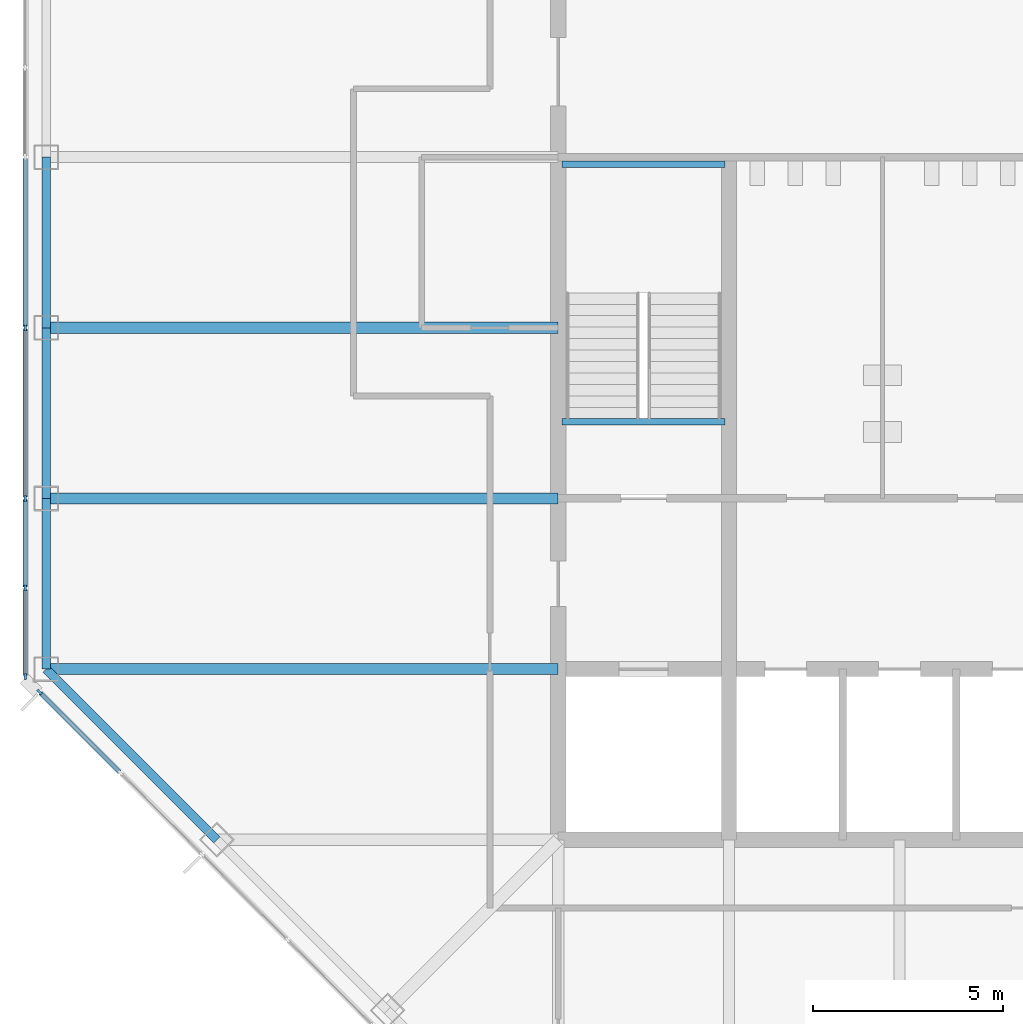
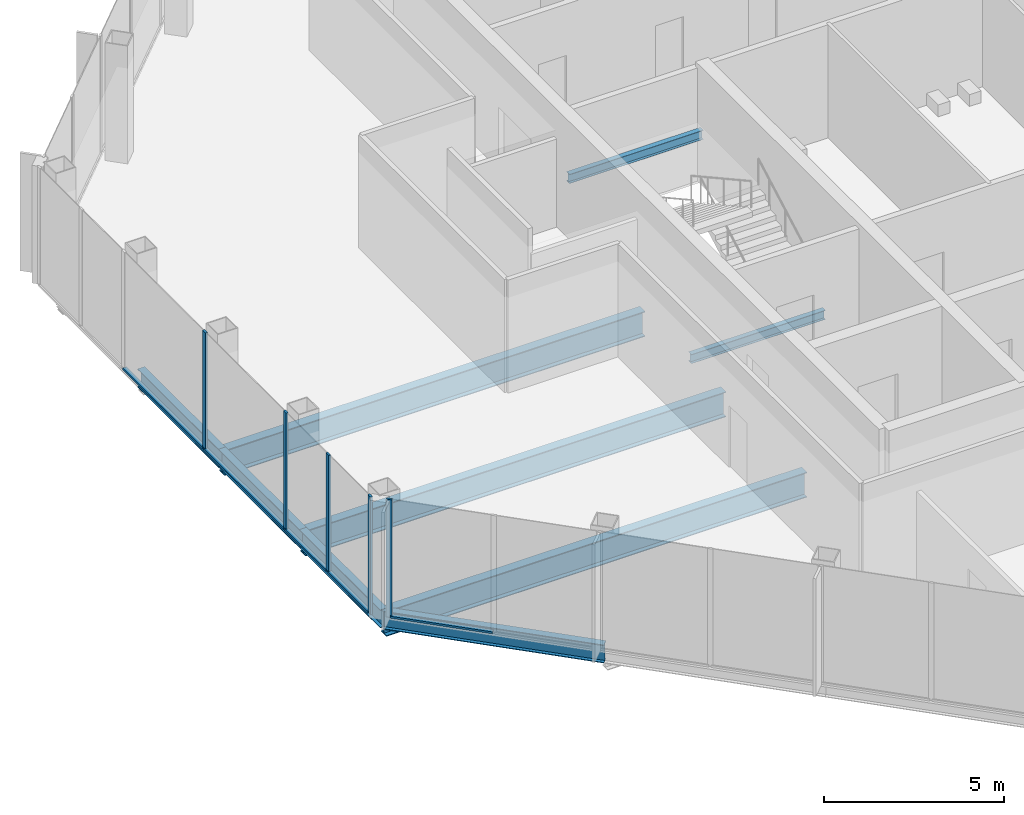
# One storey, part 3 of 14: 10 members, 9 beams, 2 elements without a shape of their own.
"""IFC4 building model written with IfcOpenShell, lengths in metres."""

from ifc_helpers import new_model, si_unit, direction, frame, origin, origin_2d, place, context, subcontext, project, spatial, rectangle, i_section, extrude, material, material_profile, profile_set, type_object, element, aggregate, save


model = new_model("IFC4")

# Units and contexts
model_context = context("Model", 3, precision=1e-05, world=origin(), true_north=direction((0.0, 1.0)))
body_context = subcontext(model_context, "Body", "Model", "MODEL_VIEW")
ifc_project = project(units=[si_unit("LENGTHUNIT", "METRE"), si_unit("AREAUNIT", "SQUARE_METRE"), si_unit("VOLUMEUNIT", "CUBIC_METRE"), si_unit("PLANEANGLEUNIT", "RADIAN"), si_unit("MASSUNIT", "GRAM", prefix="KILO")], contexts=[model_context])

# Site, building, storey
site_placement = place(None, origin())
site = spatial("IfcSite", under=ifc_project, at=site_placement, CompositionType="ELEMENT")
building_placement = place(site_placement, origin())
building = spatial("IfcBuilding", under=site, at=building_placement, Name="Corais Broadcast Tower", CompositionType="ELEMENT")
storey_placement = place(building_placement, frame((0.0, 0.0, 250.60009765625)))
storey = spatial("IfcBuildingStorey", under=building, at=storey_placement, Name="L58", CompositionType="ELEMENT", Elevation=250.60009765625)

# Beams
ifc_material_1 = material(Name="Steel ASTM A572 Grade 50", Category="steel")
ifc_material_profile_1 = material_profile(ifc_material_1, i_section(OverallWidth=0.2939453125, OverallDepth=0.85107421875, WebThickness=0.01611328125, FlangeThickness=0.02685546875, at=origin_2d()), Name="W840x226")
ifc_profile_set_1 = profile_set([ifc_material_profile_1], Name="Steel ASTM A572 Grade 50")
beam_type_1 = type_object("IfcBeamType", Name="Floor beam W840x226", PredefinedType="BEAM", material=ifc_profile_set_1)
for number, where, z_axis, x_axis, name in (
    (1, (0.0, 18.0, -0.585693359375), (1.0, 0.0, 0.0), (0.0, 1.0, 0.0), "B1 E/3 to E/6"),
    (2, (0.0, 22.5, -0.585693359375), (1.0, 0.0, 0.0), (0.0, 1.0, 0.0), "B1 F/3 to F/6"),
    (3, (0.0, 27.0, -0.585693359375), (1.0, 0.0, 0.0), (0.0, 1.0, 0.0), "B1 G/3 to G/6"),
):
    element("IfcBeam", number, at=place(storey_placement, frame(where, z_axis=z_axis, x_axis=x_axis)), inside=storey, type_object=beam_type_1, Name=name, PredefinedType="BEAM", context=body_context, shape_type="SweptSolid", body=[
        extrude(i_section(OverallWidth=0.2939453125, OverallDepth=0.85107421875, WebThickness=0.01611328125, FlangeThickness=0.02685546875, at=origin_2d()), origin(), (0.0, 0.0, 1.0), 13.5),
    ])
ifc_material_2 = material(Name="Steel ASTM A572 Grade 50", Category="steel")
ifc_material_profile_2 = material_profile(ifc_material_2, i_section(OverallWidth=0.1650390625, OverallDepth=0.31005859375, WebThickness=0.005859375, FlangeThickness=0.009765625, at=origin_2d()), Name="W310x38.7")
ifc_profile_set_2 = profile_set([ifc_material_profile_2], Name="Steel ASTM A572 Grade 50")
beam_type_2 = type_object("IfcBeamType", Name="Landing trimmer W310x38.7", PredefinedType="BEAM", material=ifc_profile_set_2)
for number, where, z_axis, x_axis, name in (
    (4, (13.60009765625, 24.52490234375, -0.35498046875), (1.0, 0.0, 0.0), (0.0, 1.0, 0.0), "LT1 stair A landing trimmer L58"),
    (5, (13.60009765625, 31.31005859375, 1.64501953125), (1.0, 0.0, 0.0), (0.0, 1.0, 0.0), "LT1 stair A half landing trimmer L58"),
):
    element("IfcBeam", number, at=place(storey_placement, frame(where, z_axis=z_axis, x_axis=x_axis)), inside=storey, type_object=beam_type_2, Name=name, PredefinedType="BEAM", context=body_context, shape_type="SweptSolid", body=[
        extrude(i_section(OverallWidth=0.1650390625, OverallDepth=0.31005859375, WebThickness=0.005859375, FlangeThickness=0.009765625, at=origin_2d()), origin(), (0.0, 0.0, 1.0), 4.2998046875),
    ])

# Curtain wall, member
ifc_material_3 = material(Name="Aluminium and glass", Category="aluminium")
curtain_wall_type = type_object("IfcCurtainWallType", Name="Unitised fritted curtain wall CW3", PredefinedType="NOTDEFINED", material=ifc_material_3)
curtain_wall_1_placement = place(storey_placement, origin())
curtain_wall_1 = element("IfcCurtainWall", 6, at=curtain_wall_1_placement, inside=storey, type_object=curtain_wall_type, Name="CW3 curtain wall L58 1", PredefinedType="NOTDEFINED")
ifc_material_4 = material(Name="Aluminium 6063-T6", Category="aluminium")
ifc_material_profile_3 = material_profile(ifc_material_4, rectangle(XDim=0.06494140625, YDim=0.159912109375, at=origin_2d()), Name="Mullion CW3 65x160")
ifc_profile_set_3 = profile_set([ifc_material_profile_3], Name="Aluminium 6063-T6")
member_type_1 = type_object("IfcMemberType", Name="Mullion CW3 65x160", PredefinedType="MULLION", material=ifc_profile_set_3)
member_1_placement = place(storey_placement, frame((-0.17333984375, 17.3955078125, 0.0), z_axis=(0.0, 0.0, 1.0), x_axis=(-0.707106781187, -0.707106781187, 0.0)))
member_1 = element("IfcMember", 7, at=member_1_placement, type_object=member_type_1, Name="CW3 mullion 9", PredefinedType="MULLION", context=body_context, shape_type="SweptSolid", body=[
    extrude(rectangle(XDim=0.06494140625, YDim=0.159912109375, at=origin_2d()), origin(), (0.0, 0.0, 1.0), 4.0),
])

# Curtain wall, members
curtain_wall_2_placement = place(storey_placement, origin())
curtain_wall_2 = element("IfcCurtainWall", 8, at=curtain_wall_2_placement, inside=storey, type_object=curtain_wall_type, Name="CW3 curtain wall L58 2", PredefinedType="NOTDEFINED")
member_2_placement = place(storey_placement, frame((-0.550048828125, 17.8046875, 0.0), z_axis=(0.0, 0.0, 1.0), x_axis=(-1.0, 0.0, 0.0)))
member_2 = element("IfcMember", 9, at=member_2_placement, type_object=member_type_1, Name="CW3 mullion 1", PredefinedType="MULLION", context=body_context, shape_type="SweptSolid", body=[
    extrude(rectangle(XDim=0.06494140625, YDim=0.159912109375, at=origin_2d()), origin(), (0.0, 0.0, 1.0), 4.0),
])
member_3_placement = place(storey_placement, frame((-0.550048828125, 20.135986328125, 0.0), z_axis=(0.0, 0.0, 1.0), x_axis=(-1.0, 0.0, 0.0)))
member_3 = element("IfcMember", 10, at=member_3_placement, type_object=member_type_1, Name="CW3 mullion 2", PredefinedType="MULLION", context=body_context, shape_type="SweptSolid", body=[
    extrude(rectangle(XDim=0.06494140625, YDim=0.159912109375, at=origin_2d()), origin(), (0.0, 0.0, 1.0), 4.0),
])
member_4_placement = place(storey_placement, frame((-0.550048828125, 22.5, 0.0), z_axis=(0.0, 0.0, 1.0), x_axis=(-1.0, 0.0, 0.0)))
member_4 = element("IfcMember", 11, at=member_4_placement, type_object=member_type_1, Name="CW3 mullion 3", PredefinedType="MULLION", context=body_context, shape_type="SweptSolid", body=[
    extrude(rectangle(XDim=0.06494140625, YDim=0.159912109375, at=origin_2d()), origin(), (0.0, 0.0, 1.0), 4.0),
])
member_5_placement = place(storey_placement, frame((-0.550048828125, 27.0, 0.0), z_axis=(0.0, 0.0, 1.0), x_axis=(-1.0, 0.0, 0.0)))
member_5 = element("IfcMember", 12, at=member_5_placement, type_object=member_type_1, Name="CW3 mullion 4", PredefinedType="MULLION", context=body_context, shape_type="SweptSolid", body=[
    extrude(rectangle(XDim=0.06494140625, YDim=0.159912109375, at=origin_2d()), origin(), (0.0, 0.0, 1.0), 4.0),
])

# Beams
ifc_material_5 = material(Name="Steel ASTM A572 Grade 50", Category="steel")
ifc_material_profile_4 = material_profile(ifc_material_5, i_section(OverallWidth=0.22998046875, OverallDepth=0.616943359375, WebThickness=0.01318359375, FlangeThickness=0.022216796875, at=origin_2d()), Name="W610x140")
ifc_profile_set_4 = profile_set([ifc_material_profile_4], Name="Steel ASTM A572 Grade 50")
beam_type_3 = type_object("IfcBeamType", Name="Spandrel W610x140", PredefinedType="BEAM", material=ifc_profile_set_4)
beam_placement = place(storey_placement, frame((0.0, 18.0, -0.468505859375), z_axis=(0.707106781187, -0.707106781187, 0.0), x_axis=(0.707106781187, 0.707106781187, 0.0)))
element("IfcBeam", 13, at=beam_placement, inside=storey, type_object=beam_type_3, Name="SB3 E/3 to D/4", PredefinedType="BEAM", context=body_context, shape_type="SweptSolid", body=[
    extrude(i_section(OverallWidth=0.22998046875, OverallDepth=0.616943359375, WebThickness=0.01318359375, FlangeThickness=0.022216796875, at=origin_2d()), origin(), (0.0, 0.0, 1.0), 6.364013671875),
])
for number, where, z_axis, x_axis, name in (
    (14, (0.0, 22.5, -0.468505859375), (0.0, -1.0, 0.0), (1.0, 0.0, 0.0), "SB3 F/3 to E/3"),
    (15, (0.0, 27.0, -0.468505859375), (0.0, -1.0, 0.0), (1.0, 0.0, 0.0), "SB3 G/3 to F/3"),
    (16, (0.0, 31.5, -0.468505859375), (0.0, -1.0, 0.0), (1.0, 0.0, 0.0), "SB3 H/3 to G/3"),
):
    element("IfcBeam", number, at=place(storey_placement, frame(where, z_axis=z_axis, x_axis=x_axis)), inside=storey, type_object=beam_type_3, Name=name, PredefinedType="BEAM", context=body_context, shape_type="SweptSolid", body=[
        extrude(i_section(OverallWidth=0.22998046875, OverallDepth=0.616943359375, WebThickness=0.01318359375, FlangeThickness=0.022216796875, at=origin_2d()), origin(), (0.0, 0.0, 1.0), 4.5),
    ])

# Member
ifc_material_6 = material(Name="Aluminium 6063-T6", Category="aluminium")
ifc_material_profile_5 = material_profile(ifc_material_6, rectangle(XDim=0.1201171875, YDim=0.06494140625, at=origin_2d()), Name="Transom CW3 65x120")
ifc_profile_set_5 = profile_set([ifc_material_profile_5], Name="Aluminium 6063-T6")
member_type_2 = type_object("IfcMemberType", Name="Transom CW3 65x120", PredefinedType="USERDEFINED", material=ifc_profile_set_5)
member_6_placement = place(storey_placement, frame((1.934326171875, 15.287841796875, 0.032470703125), z_axis=(-0.707106781187, 0.707106781187, 0.0), x_axis=(-0.707106781187, -0.707106781187, 0.0)))
member_6 = element("IfcMember", 17, at=member_6_placement, type_object=member_type_2, Name="CW3 transom 8.1", ObjectType="TRANSOM", PredefinedType="USERDEFINED", context=body_context, shape_type="SweptSolid", body=[
    extrude(rectangle(XDim=0.1201171875, YDim=0.06494140625, at=origin_2d()), origin(), (0.0, 0.0, 1.0), 2.9482421875),
])

aggregate(curtain_wall_1, [member_1, member_6])

member_7_placement = place(storey_placement, frame((-0.550048828125, 17.837158203125, 0.032470703125), z_axis=(0.0, 1.0, 0.0), x_axis=(-1.0, 0.0, 0.0)))
member_7 = element("IfcMember", 18, at=member_7_placement, type_object=member_type_2, Name="CW3 transom 1.1", ObjectType="TRANSOM", PredefinedType="USERDEFINED", context=body_context, shape_type="SweptSolid", body=[
    extrude(rectangle(XDim=0.1201171875, YDim=0.06494140625, at=origin_2d()), origin(), (0.0, 0.0, 1.0), 2.266357421875),
])

member_8_placement = place(storey_placement, frame((-0.550048828125, 20.168701171875, 0.032470703125), z_axis=(0.0, 1.0, 0.0), x_axis=(-1.0, 0.0, 0.0)))
member_8 = element("IfcMember", 19, at=member_8_placement, type_object=member_type_2, Name="CW3 transom 2.1", ObjectType="TRANSOM", PredefinedType="USERDEFINED", context=body_context, shape_type="SweptSolid", body=[
    extrude(rectangle(XDim=0.1201171875, YDim=0.06494140625, at=origin_2d()), origin(), (0.0, 0.0, 1.0), 2.298828125),
])

member_9_placement = place(storey_placement, frame((-0.550048828125, 22.532470703125, 0.032470703125), z_axis=(0.0, 1.0, 0.0), x_axis=(-1.0, 0.0, 0.0)))
member_9 = element("IfcMember", 20, at=member_9_placement, type_object=member_type_2, Name="CW3 transom 3.1", ObjectType="TRANSOM", PredefinedType="USERDEFINED", context=body_context, shape_type="SweptSolid", body=[
    extrude(rectangle(XDim=0.1201171875, YDim=0.06494140625, at=origin_2d()), origin(), (0.0, 0.0, 1.0), 4.43505859375),
])

member_10_placement = place(storey_placement, frame((-0.550048828125, 27.032470703125, 0.032470703125), z_axis=(0.0, 1.0, 0.0), x_axis=(-1.0, 0.0, 0.0)))
member_10 = element("IfcMember", 21, at=member_10_placement, type_object=member_type_2, Name="CW3 transom 4.1", ObjectType="TRANSOM", PredefinedType="USERDEFINED", context=body_context, shape_type="SweptSolid", body=[
    extrude(rectangle(XDim=0.1201171875, YDim=0.06494140625, at=origin_2d()), origin(), (0.0, 0.0, 1.0), 4.43505859375),
])

aggregate(curtain_wall_2, [member_2, member_3, member_4, member_5, member_7, member_8, member_9, member_10])

save(model, "model.ifc")
